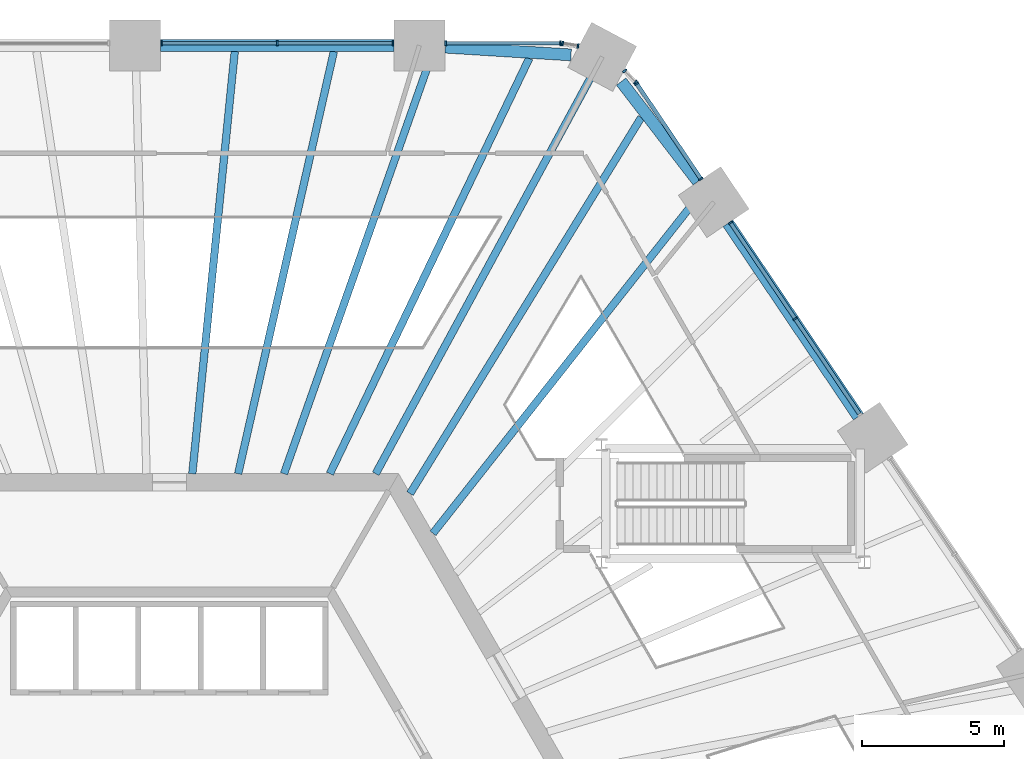
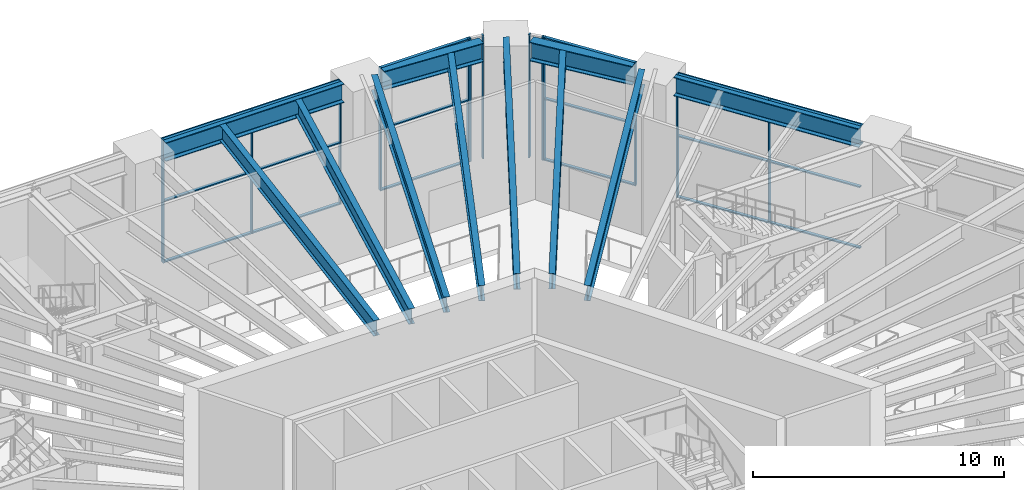
# One storey, part 10 of 32: 31 members, 11 beams, 6 elements without a shape of their own.
"""IFC4 building model written with IfcOpenShell, lengths in metres."""

from ifc_helpers import new_model, si_unit, direction, frame, origin, origin_2d, place, context, subcontext, project, spatial, rectangle, i_section, extrude, material, material_profile, profile_set, type_object, element, aggregate, save


model = new_model("IFC4")

# Units and contexts
model_context = context("Model", 3, precision=1e-05, world=origin(), true_north=direction((0.0, 1.0)))
body_context = subcontext(model_context, "Body", "Model", "MODEL_VIEW")
ifc_project = project(units=[si_unit("LENGTHUNIT", "METRE"), si_unit("AREAUNIT", "SQUARE_METRE"), si_unit("VOLUMEUNIT", "CUBIC_METRE"), si_unit("PLANEANGLEUNIT", "RADIAN"), si_unit("MASSUNIT", "GRAM", prefix="KILO")], contexts=[model_context])

# Site, building, storey
site_placement = place(None, origin())
site = spatial("IfcSite", under=ifc_project, at=site_placement, CompositionType="ELEMENT")
building_placement = place(site_placement, origin())
building = spatial("IfcBuilding", under=site, at=building_placement, Name="Tarnside Tower", CompositionType="ELEMENT")
storey_placement = place(building_placement, frame((0.0, 0.0, 9.0)))
storey = spatial("IfcBuildingStorey", under=building, at=storey_placement, Name="L01", CompositionType="ELEMENT", Elevation=9.0)

# Beams
ifc_material_1 = material(Name="Steel S355", Category="steel")
ifc_material_profile_1 = material_profile(ifc_material_1, i_section(OverallWidth=0.26513671875, OverallDepth=0.75390625, WebThickness=0.0126953125, FlangeThickness=0.017578125, FilletRadius=0.0166015625, at=origin_2d()), Name="UB 762x267x147")
ifc_profile_set_1 = profile_set([ifc_material_profile_1], Name="Steel S355")
beam_type_1 = type_object("IfcBeamType", Name="Floor beam UB 762x267x147", PredefinedType="BEAM", material=ifc_profile_set_1)
beam_1_placement = place(storey_placement, frame((9.283935546875, 28.860107421875, 5.373046875), z_axis=(-0.332689636341, -0.943036375688, 0.0), x_axis=(0.943036375688, -0.332689636341, 0.0)))
element("IfcBeam", 1, at=beam_1_placement, inside=storey, type_object=beam_type_1, Name="Floor beam F1.02", PredefinedType="BEAM", context=body_context, shape_type="SweptSolid", body=[
    extrude(i_section(OverallWidth=0.26513671875, OverallDepth=0.75390625, WebThickness=0.0126953125, FlangeThickness=0.017578125, FilletRadius=0.0166015625, at=origin_2d()), origin(), (0.0, 0.0, 1.0), 15.7578125),
])
beam_2_placement = place(storey_placement, frame((5.799560546875, 28.8896484375, 5.373046875), z_axis=(-0.221044632162, -0.975263692851, 0.0), x_axis=(0.975263692851, -0.221044632162, 0.0)))
element("IfcBeam", 2, at=beam_2_placement, inside=storey, type_object=beam_type_1, Name="Floor beam F1.03", PredefinedType="BEAM", context=body_context, shape_type="SweptSolid", body=[
    extrude(i_section(OverallWidth=0.26513671875, OverallDepth=0.75390625, WebThickness=0.0126953125, FlangeThickness=0.017578125, FilletRadius=0.0166015625, at=origin_2d()), origin(), (0.0, 0.0, 1.0), 15.267333984375),
])
beam_3_placement = place(storey_placement, frame((2.304931640625, 28.889892578125, 5.373046875), z_axis=(-0.100006054522, -0.994986828586, 0.0), x_axis=(0.994986828586, -0.100006054522, 0.0)))
element("IfcBeam", 3, at=beam_3_placement, inside=storey, type_object=beam_type_1, Name="Floor beam F1.04", PredefinedType="BEAM", context=body_context, shape_type="SweptSolid", body=[
    extrude(i_section(OverallWidth=0.26513671875, OverallDepth=0.75390625, WebThickness=0.0126953125, FlangeThickness=0.017578125, FilletRadius=0.0166015625, at=origin_2d()), origin(), (0.0, 0.0, 1.0), 14.96484375),
])
beam_4_placement = place(storey_placement, frame((18.718017578125, 23.85693359375, 5.373046875), z_axis=(-0.618949882872, -0.785430482279, 0.0), x_axis=(0.785430482279, -0.618949882872, 0.0)))
element("IfcBeam", 4, at=beam_4_placement, inside=storey, type_object=beam_type_1, Name="Floor beam F6.08", PredefinedType="BEAM", context=body_context, shape_type="SweptSolid", body=[
    extrude(i_section(OverallWidth=0.26513671875, OverallDepth=0.75390625, WebThickness=0.0126953125, FlangeThickness=0.017578125, FilletRadius=0.0166015625, at=origin_2d()), origin(), (0.0, 0.0, 1.0), 15.2236328125),
])
beam_5_placement = place(storey_placement, frame((16.638427734375, 26.562744140625, 5.373046875), z_axis=(-0.523617838834, -0.851953260957, 0.0), x_axis=(0.851953260957, -0.523617838834, 0.0)))
element("IfcBeam", 5, at=beam_5_placement, inside=storey, type_object=beam_type_1, Name="Floor beam F6.09", PredefinedType="BEAM", context=body_context, shape_type="SweptSolid", body=[
    extrude(i_section(OverallWidth=0.26513671875, OverallDepth=0.75390625, WebThickness=0.0126953125, FlangeThickness=0.017578125, FilletRadius=0.0166015625, at=origin_2d()), origin(), (0.0, 0.0, 1.0), 15.5673828125),
])
ifc_material_profile_2 = material_profile(ifc_material_1, i_section(OverallWidth=0.2666015625, OverallDepth=0.76220703125, WebThickness=0.014404296875, FlangeThickness=0.021484375, FilletRadius=0.0166015625, at=origin_2d()), Name="UB 762x267x173")
ifc_profile_set_2 = profile_set([ifc_material_profile_2], Name="Steel S355")
beam_type_2 = type_object("IfcBeamType", Name="Floor beam UB 762x267x173", PredefinedType="BEAM", material=ifc_profile_set_2)
beam_6_placement = place(storey_placement, frame((12.690185546875, 28.6494140625, 5.368896484375), z_axis=(-0.432756465896, -0.901510865839, 0.0), x_axis=(0.901510865839, -0.432756465896, 0.0)))
element("IfcBeam", 6, at=beam_6_placement, inside=storey, type_object=beam_type_2, Name="Floor beam F1.01", PredefinedType="BEAM", context=body_context, shape_type="SweptSolid", body=[
    extrude(i_section(OverallWidth=0.2666015625, OverallDepth=0.76220703125, WebThickness=0.014404296875, FlangeThickness=0.021484375, FilletRadius=0.0166015625, at=origin_2d()), origin(), (0.0, 0.0, 1.0), 16.249755859375),
])
beam_7_placement = place(storey_placement, frame((15.14404296875, 28.49755859375, 5.368896484375), z_axis=(-0.477058221257, -0.878871693441, 0.0), x_axis=(0.878871693441, -0.477058221257, 0.0)))
element("IfcBeam", 7, at=beam_7_placement, inside=storey, type_object=beam_type_2, Name="Floor beam C6", PredefinedType="BEAM", context=body_context, shape_type="SweptSolid", body=[
    extrude(i_section(OverallWidth=0.2666015625, OverallDepth=0.76220703125, WebThickness=0.014404296875, FlangeThickness=0.021484375, FilletRadius=0.0166015625, at=origin_2d()), origin(), (0.0, 0.0, 1.0), 16.49560546875),
])
ifc_material_2 = material(Name="Steel S460", Category="steel")
ifc_material_profile_3 = material_profile(ifc_material_2, i_section(OverallWidth=0.42041015625, OverallDepth=0.9208984375, WebThickness=0.021484375, FlangeThickness=0.03662109375, FilletRadius=0.024169921875, at=origin_2d()), Name="UB 914x419x388")
ifc_profile_set_3 = profile_set([ifc_material_profile_3], Name="Steel S460")
beam_type_3 = type_object("IfcBeamType", Name="Perimeter girder UB 914x419x388", PredefinedType="BEAM", material=ifc_profile_set_3)
beam_8_placement = place(storey_placement, frame((7.91259765625, 29.10009765625, 5.28955078125), z_axis=(-1.0, 0.0, 0.0), x_axis=(0.0, -1.0, 0.0)))
element("IfcBeam", 8, at=beam_8_placement, inside=storey, type_object=beam_type_3, Name="Perimeter girder M01", PredefinedType="BEAM", context=body_context, shape_type="SweptSolid", body=[
    extrude(i_section(OverallWidth=0.42041015625, OverallDepth=0.9208984375, WebThickness=0.021484375, FlangeThickness=0.03662109375, FilletRadius=0.024169921875, at=origin_2d()), origin(), (0.0, 0.0, 1.0), 8.2236328125),
])
beam_9_placement = place(storey_placement, frame((24.298828125, 16.0146484375, 5.28955078125), z_axis=(-0.559179633433, 0.829046523154, 0.0), x_axis=(-0.829046523154, -0.559179633433, 0.0)))
element("IfcBeam", 9, at=beam_9_placement, inside=storey, type_object=beam_type_3, Name="Perimeter girder M22", PredefinedType="BEAM", context=body_context, shape_type="SweptSolid", body=[
    extrude(i_section(OverallWidth=0.42041015625, OverallDepth=0.9208984375, WebThickness=0.021484375, FlangeThickness=0.03662109375, FilletRadius=0.024169921875, at=origin_2d()), origin(), (0.0, 0.0, 1.0), 8.223388671875),
])
for number, where, z_axis, x_axis, name in (
    (10, (18.636474609375, 24.307861328125, 5.28955078125), (-0.609328053132, 0.792918232649, 0.0), (-0.792918232649, -0.609328053132, 0.0), "Perimeter girder M23"),
    (11, (14.16259765625, 28.768798828125, 5.28955078125), (-0.998088356317, 0.061803179402, 0.0), (-0.061803179402, -0.998088356317, 0.0), "Perimeter girder M24"),
):
    element("IfcBeam", number, at=place(storey_placement, frame(where, z_axis=z_axis, x_axis=x_axis)), inside=storey, type_object=beam_type_3, Name=name, PredefinedType="BEAM", context=body_context, shape_type="SweptSolid", body=[
        extrude(i_section(OverallWidth=0.42041015625, OverallDepth=0.9208984375, WebThickness=0.021484375, FlangeThickness=0.03662109375, FilletRadius=0.024169921875, at=origin_2d()), origin(), (0.0, 0.0, 1.0), 4.440185546875),
    ])

# Curtain wall, members
ifc_material_3 = material(Name="Retail shopfront glazing wall", Category="glass")
curtain_wall_type = type_object("IfcCurtainWallType", Name="Retail shopfront glazing wall", PredefinedType="NOTDEFINED", material=ifc_material_3)
curtain_wall_1_placement = place(storey_placement, origin())
curtain_wall_1 = element("IfcCurtainWall", 12, at=curtain_wall_1_placement, inside=storey, type_object=curtain_wall_type, Name="Retail shopfront glazing L01 00.0", PredefinedType="NOTDEFINED")
ifc_material_4 = material(Name="Aluminium alloy 6063", Category="aluminium")
ifc_material_profile_4 = material_profile(ifc_material_4, rectangle(XDim=0.159912109375, YDim=0.06005859375, at=origin_2d()), Name="Retail shopfront glazing mullion 60 x 160")
ifc_profile_set_4 = profile_set([ifc_material_profile_4], Name="Aluminium alloy 6063")
member_type_1 = type_object("IfcMemberType", Name="Retail shopfront glazing mullion 60 x 160", PredefinedType="MULLION", material=ifc_profile_set_4)
member_1_placement = place(storey_placement, frame((7.882568359375, 29.179931640625, -0.25), z_axis=(0.0, 0.0, 1.0), x_axis=(0.0, -1.0, 0.0)))
member_1 = element("IfcMember", 13, at=member_1_placement, type_object=member_type_1, Name="CW2 mullion 1", PredefinedType="MULLION", context=body_context, shape_type="SweptSolid", body=[
    extrude(rectangle(XDim=0.159912109375, YDim=0.06005859375, at=origin_2d()), origin(), (0.0, 0.0, 1.0), 6.0),
])
member_2_placement = place(storey_placement, frame((3.80078125, 29.179931640625, -0.25), z_axis=(0.0, 0.0, 1.0), x_axis=(0.0, -1.0, 0.0)))
member_2 = element("IfcMember", 14, at=member_2_placement, type_object=member_type_1, Name="CW2 mullion 2", PredefinedType="MULLION", context=body_context, shape_type="SweptSolid", body=[
    extrude(rectangle(XDim=0.159912109375, YDim=0.06005859375, at=origin_2d()), origin(), (0.0, 0.0, 1.0), 6.0),
])
member_3_placement = place(storey_placement, frame((-0.281005859375, 29.179931640625, -0.25), z_axis=(0.0, 0.0, 1.0), x_axis=(0.0, -1.0, 0.0)))
member_3 = element("IfcMember", 15, at=member_3_placement, type_object=member_type_1, Name="CW2 mullion 3", PredefinedType="MULLION", context=body_context, shape_type="SweptSolid", body=[
    extrude(rectangle(XDim=0.159912109375, YDim=0.06005859375, at=origin_2d()), origin(), (0.0, 0.0, 1.0), 6.0),
])

curtain_wall_2_placement = place(storey_placement, origin())
curtain_wall_2 = element("IfcCurtainWall", 16, at=curtain_wall_2_placement, inside=storey, type_object=curtain_wall_type, Name="Retail shopfront glazing L01 21.0", PredefinedType="NOTDEFINED")
member_4_placement = place(storey_placement, frame((22.06591796875, 19.46826171875, -0.25), z_axis=(0.0, 0.0, 1.0), x_axis=(-0.829037572545, -0.559192903485, 0.0)))
member_4 = element("IfcMember", 17, at=member_4_placement, type_object=member_type_1, Name="CW2 mullion 2", PredefinedType="MULLION", context=body_context, shape_type="SweptSolid", body=[
    extrude(rectangle(XDim=0.159912109375, YDim=0.06005859375, at=origin_2d()), origin(), (0.0, 0.0, 1.0), 6.0),
])
member_5_placement = place(storey_placement, frame((19.783447265625, 22.852294921875, -0.25), z_axis=(0.0, 0.0, 1.0), x_axis=(-0.829037572545, -0.559192903485, 0.0)))
member_5 = element("IfcMember", 18, at=member_5_placement, type_object=member_type_1, Name="CW2 mullion 3", PredefinedType="MULLION", context=body_context, shape_type="SweptSolid", body=[
    extrude(rectangle(XDim=0.159912109375, YDim=0.06005859375, at=origin_2d()), origin(), (0.0, 0.0, 1.0), 6.0),
])

curtain_wall_3_placement = place(storey_placement, origin())
curtain_wall_3 = element("IfcCurtainWall", 19, at=curtain_wall_3_placement, inside=storey, type_object=curtain_wall_type, Name="Retail shopfront glazing L01 22.0", PredefinedType="NOTDEFINED")
member_6_placement = place(storey_placement, frame((18.743408203125, 24.394287109375, -0.25), z_axis=(0.0, 0.0, 1.0), x_axis=(-0.829037572594, -0.559192903413, 0.0)))
member_6 = element("IfcMember", 20, at=member_6_placement, type_object=member_type_1, Name="CW2 mullion 1", PredefinedType="MULLION", context=body_context, shape_type="SweptSolid", body=[
    extrude(rectangle(XDim=0.159912109375, YDim=0.06005859375, at=origin_2d()), origin(), (0.0, 0.0, 1.0), 6.0),
])
member_7_placement = place(storey_placement, frame((16.4775390625, 27.75341796875, -0.25), z_axis=(0.0, 0.0, 1.0), x_axis=(-0.829037572594, -0.559192903413, 0.0)))
member_7 = element("IfcMember", 21, at=member_7_placement, type_object=member_type_1, Name="CW2 mullion 2", PredefinedType="MULLION", context=body_context, shape_type="SweptSolid", body=[
    extrude(rectangle(XDim=0.159912109375, YDim=0.06005859375, at=origin_2d()), origin(), (0.0, 0.0, 1.0), 6.0),
])

curtain_wall_4_placement = place(storey_placement, origin())
curtain_wall_4 = element("IfcCurtainWall", 22, at=curtain_wall_4_placement, inside=storey, type_object=curtain_wall_type, Name="Retail shopfront glazing L01 22.1", PredefinedType="NOTDEFINED")
member_8_placement = place(storey_placement, frame((16.43212890625, 27.810302734375, -0.25), z_axis=(0.0, 0.0, 1.0), x_axis=(-0.727373641625, -0.686241637814, 0.0)))
member_8 = element("IfcMember", 23, at=member_8_placement, type_object=member_type_1, Name="CW2 mullion 1", PredefinedType="MULLION", context=body_context, shape_type="SweptSolid", body=[
    extrude(rectangle(XDim=0.159912109375, YDim=0.06005859375, at=origin_2d()), origin(), (0.0, 0.0, 1.0), 6.0),
])
member_9_placement = place(storey_placement, frame((16.055908203125, 28.208984375, -0.25), z_axis=(0.0, 0.0, 1.0), x_axis=(-0.727373641625, -0.686241637814, 0.0)))
member_9 = element("IfcMember", 24, at=member_9_placement, type_object=member_type_1, Name="CW2 mullion 2", PredefinedType="MULLION", context=body_context, shape_type="SweptSolid", body=[
    extrude(rectangle(XDim=0.159912109375, YDim=0.06005859375, at=origin_2d()), origin(), (0.0, 0.0, 1.0), 6.0),
])
aggregate(curtain_wall_4, [member_8, member_9])

curtain_wall_5_placement = place(storey_placement, origin())
curtain_wall_5 = element("IfcCurtainWall", 25, at=curtain_wall_5_placement, inside=storey, type_object=curtain_wall_type, Name="Retail shopfront glazing L01 23.0", PredefinedType="NOTDEFINED")
member_10_placement = place(storey_placement, frame((14.407958984375, 29.085205078125, -0.25), z_axis=(0.0, 0.0, 1.0), x_axis=(-0.162177923823, -0.986761531995, 0.0)))
member_10 = element("IfcMember", 26, at=member_10_placement, type_object=member_type_1, Name="CW2 mullion 1", PredefinedType="MULLION", context=body_context, shape_type="SweptSolid", body=[
    extrude(rectangle(XDim=0.159912109375, YDim=0.06005859375, at=origin_2d()), origin(), (0.0, 0.0, 1.0), 6.0),
])
member_11_placement = place(storey_placement, frame((13.866943359375, 29.174072265625, -0.25), z_axis=(0.0, 0.0, 1.0), x_axis=(-0.162177923823, -0.986761531995, 0.0)))
member_11 = element("IfcMember", 27, at=member_11_placement, type_object=member_type_1, Name="CW2 mullion 2", PredefinedType="MULLION", context=body_context, shape_type="SweptSolid", body=[
    extrude(rectangle(XDim=0.159912109375, YDim=0.06005859375, at=origin_2d()), origin(), (0.0, 0.0, 1.0), 6.0),
])
aggregate(curtain_wall_5, [member_10, member_11])

curtain_wall_6_placement = place(storey_placement, origin())
curtain_wall_6 = element("IfcCurtainWall", 28, at=curtain_wall_6_placement, inside=storey, type_object=curtain_wall_type, Name="Retail shopfront glazing L01 23.1", PredefinedType="NOTDEFINED")
member_12_placement = place(storey_placement, frame((13.79443359375, 29.179931640625, -0.25), z_axis=(0.0, 0.0, 1.0), x_axis=(0.0, -1.0, 0.0)))
member_12 = element("IfcMember", 29, at=member_12_placement, type_object=member_type_1, Name="CW2 mullion 1", PredefinedType="MULLION", context=body_context, shape_type="SweptSolid", body=[
    extrude(rectangle(XDim=0.159912109375, YDim=0.06005859375, at=origin_2d()), origin(), (0.0, 0.0, 1.0), 6.0),
])
member_13_placement = place(storey_placement, frame((9.74267578125, 29.179931640625, -0.25), z_axis=(0.0, 0.0, 1.0), x_axis=(0.0, -1.0, 0.0)))
member_13 = element("IfcMember", 30, at=member_13_placement, type_object=member_type_1, Name="CW2 mullion 2", PredefinedType="MULLION", context=body_context, shape_type="SweptSolid", body=[
    extrude(rectangle(XDim=0.159912109375, YDim=0.06005859375, at=origin_2d()), origin(), (0.0, 0.0, 1.0), 6.0),
])

# Member
ifc_material_profile_5 = material_profile(ifc_material_4, rectangle(XDim=0.139892578125, YDim=0.06005859375, at=origin_2d()), Name="Retail shopfront glazing transom 60 x 140")
ifc_profile_set_5 = profile_set([ifc_material_profile_5], Name="Aluminium alloy 6063")
member_type_2 = type_object("IfcMemberType", Name="Retail shopfront glazing transom 60 x 140", PredefinedType="USERDEFINED", material=ifc_profile_set_5)
member_14_placement = place(storey_placement, frame((7.8525390625, 29.179931640625, -0.219970703125), z_axis=(-1.0, 0.0, 0.0), x_axis=(0.0, -1.0, 0.0)))
member_14 = element("IfcMember", 31, at=member_14_placement, type_object=member_type_2, Name="CW2 transom 1.1", ObjectType="TRANSOM", PredefinedType="USERDEFINED", context=body_context, shape_type="SweptSolid", body=[
    extrude(rectangle(XDim=0.139892578125, YDim=0.06005859375, at=origin_2d()), origin(), (0.0, 0.0, 1.0), 4.021728515625),
])

member_15_placement = place(storey_placement, frame((7.8525390625, 29.179931640625, 2.75), z_axis=(-1.0, 0.0, 0.0), x_axis=(0.0, -1.0, 0.0)))
member_15 = element("IfcMember", 32, at=member_15_placement, type_object=member_type_2, Name="CW2 transom 1.2", ObjectType="TRANSOM", PredefinedType="USERDEFINED", context=body_context, shape_type="SweptSolid", body=[
    extrude(rectangle(XDim=0.139892578125, YDim=0.06005859375, at=origin_2d()), origin(), (0.0, 0.0, 1.0), 4.021728515625),
])

member_16_placement = place(storey_placement, frame((7.8525390625, 29.179931640625, 5.719970703125), z_axis=(-1.0, 0.0, 0.0), x_axis=(0.0, -1.0, 0.0)))
member_16 = element("IfcMember", 33, at=member_16_placement, type_object=member_type_2, Name="CW2 transom 1.3", ObjectType="TRANSOM", PredefinedType="USERDEFINED", context=body_context, shape_type="SweptSolid", body=[
    extrude(rectangle(XDim=0.139892578125, YDim=0.06005859375, at=origin_2d()), origin(), (0.0, 0.0, 1.0), 4.021728515625),
])

member_17_placement = place(storey_placement, frame((3.770751953125, 29.179931640625, -0.219970703125), z_axis=(-1.0, 0.0, 0.0), x_axis=(0.0, -1.0, 0.0)))
member_17 = element("IfcMember", 34, at=member_17_placement, type_object=member_type_2, Name="CW2 transom 2.1", ObjectType="TRANSOM", PredefinedType="USERDEFINED", context=body_context, shape_type="SweptSolid", body=[
    extrude(rectangle(XDim=0.139892578125, YDim=0.06005859375, at=origin_2d()), origin(), (0.0, 0.0, 1.0), 4.021728515625),
])

member_18_placement = place(storey_placement, frame((3.770751953125, 29.179931640625, 2.75), z_axis=(-1.0, 0.0, 0.0), x_axis=(0.0, -1.0, 0.0)))
member_18 = element("IfcMember", 35, at=member_18_placement, type_object=member_type_2, Name="CW2 transom 2.2", ObjectType="TRANSOM", PredefinedType="USERDEFINED", context=body_context, shape_type="SweptSolid", body=[
    extrude(rectangle(XDim=0.139892578125, YDim=0.06005859375, at=origin_2d()), origin(), (0.0, 0.0, 1.0), 4.021728515625),
])

member_19_placement = place(storey_placement, frame((3.770751953125, 29.179931640625, 5.719970703125), z_axis=(-1.0, 0.0, 0.0), x_axis=(0.0, -1.0, 0.0)))
member_19 = element("IfcMember", 36, at=member_19_placement, type_object=member_type_2, Name="CW2 transom 2.3", ObjectType="TRANSOM", PredefinedType="USERDEFINED", context=body_context, shape_type="SweptSolid", body=[
    extrude(rectangle(XDim=0.139892578125, YDim=0.06005859375, at=origin_2d()), origin(), (0.0, 0.0, 1.0), 4.021728515625),
])

aggregate(curtain_wall_1, [member_1, member_2, member_3, member_14, member_15, member_16, member_17, member_18, member_19])

member_20_placement = place(storey_placement, frame((24.331787109375, 16.109130859375, -0.219970703125), z_axis=(-0.559202799254, 0.829030897679, 0.0), x_axis=(-0.829030897679, -0.559202799254, 0.0)))
member_20 = element("IfcMember", 37, at=member_20_placement, type_object=member_type_2, Name="CW2 transom 1.1", ObjectType="TRANSOM", PredefinedType="USERDEFINED", context=body_context, shape_type="SweptSolid", body=[
    extrude(rectangle(XDim=0.139892578125, YDim=0.06005859375, at=origin_2d()), origin(), (0.0, 0.0, 1.0), 4.021728515625),
])

member_21_placement = place(storey_placement, frame((24.331787109375, 16.109130859375, 2.75), z_axis=(-0.559202799254, 0.829030897679, 0.0), x_axis=(-0.829030897679, -0.559202799254, 0.0)))
member_21 = element("IfcMember", 38, at=member_21_placement, type_object=member_type_2, Name="CW2 transom 1.2", ObjectType="TRANSOM", PredefinedType="USERDEFINED", context=body_context, shape_type="SweptSolid", body=[
    extrude(rectangle(XDim=0.139892578125, YDim=0.06005859375, at=origin_2d()), origin(), (0.0, 0.0, 1.0), 4.021728515625),
])

member_22_placement = place(storey_placement, frame((24.331787109375, 16.109130859375, 5.719970703125), z_axis=(-0.559202799254, 0.829030897679, 0.0), x_axis=(-0.829030897679, -0.559202799254, 0.0)))
member_22 = element("IfcMember", 39, at=member_22_placement, type_object=member_type_2, Name="CW2 transom 1.3", ObjectType="TRANSOM", PredefinedType="USERDEFINED", context=body_context, shape_type="SweptSolid", body=[
    extrude(rectangle(XDim=0.139892578125, YDim=0.06005859375, at=origin_2d()), origin(), (0.0, 0.0, 1.0), 4.021728515625),
])

member_23_placement = place(storey_placement, frame((22.049072265625, 19.4931640625, -0.219970703125), z_axis=(-0.559161075925, 0.829059039617, 0.0), x_axis=(-0.829059039617, -0.559161075925, 0.0)))
member_23 = element("IfcMember", 40, at=member_23_placement, type_object=member_type_2, Name="CW2 transom 2.1", ObjectType="TRANSOM", PredefinedType="USERDEFINED", context=body_context, shape_type="SweptSolid", body=[
    extrude(rectangle(XDim=0.139892578125, YDim=0.06005859375, at=origin_2d()), origin(), (0.0, 0.0, 1.0), 4.021728515625),
])

member_24_placement = place(storey_placement, frame((22.049072265625, 19.4931640625, 2.75), z_axis=(-0.559161075925, 0.829059039617, 0.0), x_axis=(-0.829059039617, -0.559161075925, 0.0)))
member_24 = element("IfcMember", 41, at=member_24_placement, type_object=member_type_2, Name="CW2 transom 2.2", ObjectType="TRANSOM", PredefinedType="USERDEFINED", context=body_context, shape_type="SweptSolid", body=[
    extrude(rectangle(XDim=0.139892578125, YDim=0.06005859375, at=origin_2d()), origin(), (0.0, 0.0, 1.0), 4.021728515625),
])

member_25_placement = place(storey_placement, frame((22.049072265625, 19.4931640625, 5.719970703125), z_axis=(-0.559161075925, 0.829059039617, 0.0), x_axis=(-0.829059039617, -0.559161075925, 0.0)))
member_25 = element("IfcMember", 42, at=member_25_placement, type_object=member_type_2, Name="CW2 transom 2.3", ObjectType="TRANSOM", PredefinedType="USERDEFINED", context=body_context, shape_type="SweptSolid", body=[
    extrude(rectangle(XDim=0.139892578125, YDim=0.06005859375, at=origin_2d()), origin(), (0.0, 0.0, 1.0), 4.021728515625),
])

aggregate(curtain_wall_2, [member_4, member_5, member_20, member_21, member_22, member_23, member_24, member_25])

member_26_placement = place(storey_placement, frame((18.7265625, 24.419189453125, -0.219970703125), z_axis=(-0.559194461084, 0.829036521929, 0.0), x_axis=(-0.829036521929, -0.559194461084, 0.0)))
member_26 = element("IfcMember", 43, at=member_26_placement, type_object=member_type_2, Name="CW2 transom 1.1", ObjectType="TRANSOM", PredefinedType="USERDEFINED", context=body_context, shape_type="SweptSolid", body=[
    extrude(rectangle(XDim=0.139892578125, YDim=0.06005859375, at=origin_2d()), origin(), (0.0, 0.0, 1.0), 3.99169921875),
])

member_27_placement = place(storey_placement, frame((18.7265625, 24.419189453125, 2.75), z_axis=(-0.559194461084, 0.829036521929, 0.0), x_axis=(-0.829036521929, -0.559194461084, 0.0)))
member_27 = element("IfcMember", 44, at=member_27_placement, type_object=member_type_2, Name="CW2 transom 1.2", ObjectType="TRANSOM", PredefinedType="USERDEFINED", context=body_context, shape_type="SweptSolid", body=[
    extrude(rectangle(XDim=0.139892578125, YDim=0.06005859375, at=origin_2d()), origin(), (0.0, 0.0, 1.0), 3.99169921875),
])

member_28_placement = place(storey_placement, frame((18.7265625, 24.419189453125, 5.719970703125), z_axis=(-0.559194461084, 0.829036521929, 0.0), x_axis=(-0.829036521929, -0.559194461084, 0.0)))
member_28 = element("IfcMember", 45, at=member_28_placement, type_object=member_type_2, Name="CW2 transom 1.3", ObjectType="TRANSOM", PredefinedType="USERDEFINED", context=body_context, shape_type="SweptSolid", body=[
    extrude(rectangle(XDim=0.139892578125, YDim=0.06005859375, at=origin_2d()), origin(), (0.0, 0.0, 1.0), 3.99169921875),
])

aggregate(curtain_wall_3, [member_6, member_7, member_26, member_27, member_28])

member_29_placement = place(storey_placement, frame((13.764404296875, 29.179931640625, -0.219970703125), z_axis=(-1.0, 0.0, 0.0), x_axis=(0.0, -1.0, 0.0)))
member_29 = element("IfcMember", 46, at=member_29_placement, type_object=member_type_2, Name="CW2 transom 1.1", ObjectType="TRANSOM", PredefinedType="USERDEFINED", context=body_context, shape_type="SweptSolid", body=[
    extrude(rectangle(XDim=0.139892578125, YDim=0.06005859375, at=origin_2d()), origin(), (0.0, 0.0, 1.0), 3.99169921875),
])

member_30_placement = place(storey_placement, frame((13.764404296875, 29.179931640625, 2.75), z_axis=(-1.0, 0.0, 0.0), x_axis=(0.0, -1.0, 0.0)))
member_30 = element("IfcMember", 47, at=member_30_placement, type_object=member_type_2, Name="CW2 transom 1.2", ObjectType="TRANSOM", PredefinedType="USERDEFINED", context=body_context, shape_type="SweptSolid", body=[
    extrude(rectangle(XDim=0.139892578125, YDim=0.06005859375, at=origin_2d()), origin(), (0.0, 0.0, 1.0), 3.99169921875),
])

member_31_placement = place(storey_placement, frame((13.764404296875, 29.179931640625, 5.719970703125), z_axis=(-1.0, 0.0, 0.0), x_axis=(0.0, -1.0, 0.0)))
member_31 = element("IfcMember", 48, at=member_31_placement, type_object=member_type_2, Name="CW2 transom 1.3", ObjectType="TRANSOM", PredefinedType="USERDEFINED", context=body_context, shape_type="SweptSolid", body=[
    extrude(rectangle(XDim=0.139892578125, YDim=0.06005859375, at=origin_2d()), origin(), (0.0, 0.0, 1.0), 3.99169921875),
])

aggregate(curtain_wall_6, [member_12, member_13, member_29, member_30, member_31])

save(model, "model.ifc")
